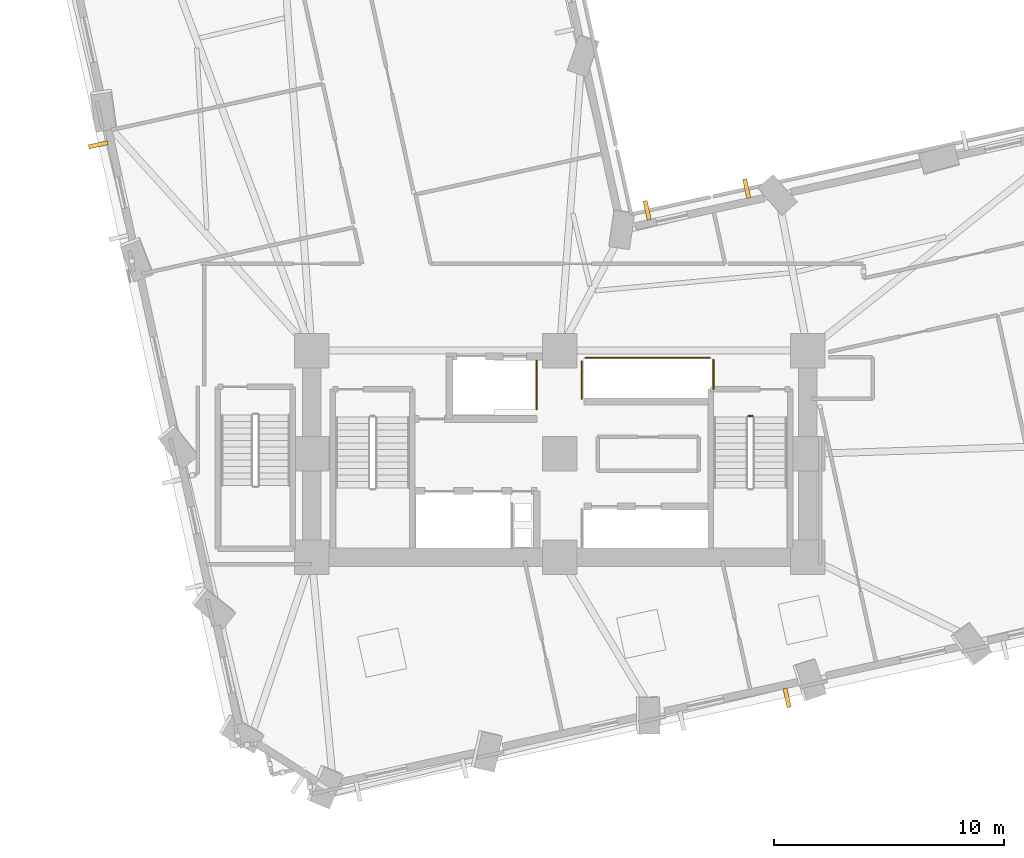
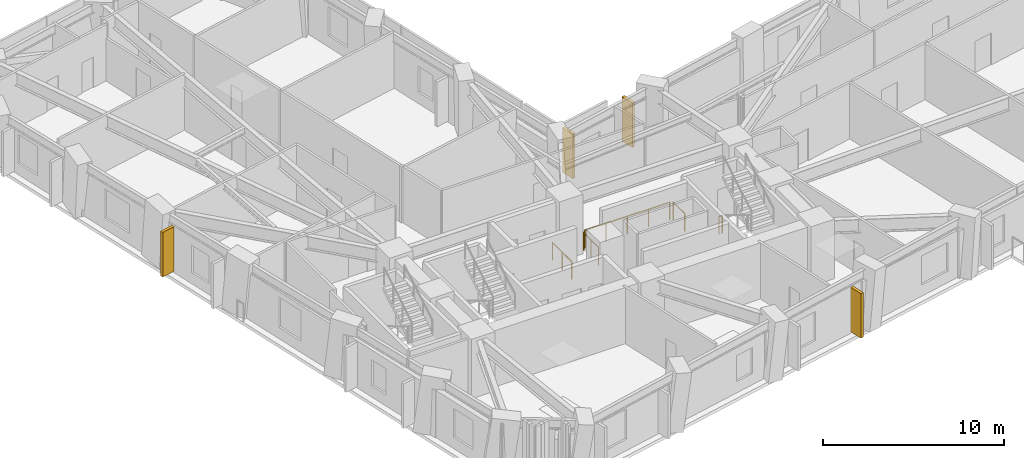
# One storey, part 12 of 14: 5 railings, 4 shading devices.
"""IFC4 building model written with IfcOpenShell, lengths in metres."""

from ifc_helpers import new_model, si_unit, direction, frame, origin, origin_2d, place, context, subcontext, project, spatial, rectangle, circle, extrude, material, type_object, element, save


model = new_model("IFC4")

# Units and contexts
model_context = context("Model", 3, precision=1e-05, world=origin(), true_north=direction((0.0, 1.0)))
body_context = subcontext(model_context, "Body", "Model", "MODEL_VIEW")
ifc_project = project(units=[si_unit("LENGTHUNIT", "METRE"), si_unit("AREAUNIT", "SQUARE_METRE"), si_unit("VOLUMEUNIT", "CUBIC_METRE"), si_unit("PLANEANGLEUNIT", "RADIAN"), si_unit("MASSUNIT", "GRAM", prefix="KILO")], contexts=[model_context])

# Site, building, storey
site_placement = place(None, origin())
site = spatial("IfcSite", under=ifc_project, at=site_placement, CompositionType="ELEMENT")
building_placement = place(site_placement, origin())
building = spatial("IfcBuilding", under=site, at=building_placement, Name="Gaonmaruhae Medical Tower", CompositionType="ELEMENT")
storey_placement = place(building_placement, frame((0.0, 0.0, 75.0)))
storey = spatial("IfcBuildingStorey", under=building, at=storey_placement, Name="L17", CompositionType="ELEMENT", Elevation=75.0)

# Shading devices
ifc_material_1 = material(Name="Pigmented coral precast concrete C45/55", Category="concrete")
shading_device_type = type_object("IfcShadingDeviceType", Name="SD-FIN1 Tower Vertical Coral Precast Shading Fin", PredefinedType="USERDEFINED", material=ifc_material_1)
for number, where, z_axis, x_axis, name in (
    (1, (34.696533203125, 1.6845703125, 0.08251953125), (0.0, 0.0, 1.0), (-0.976859298345, -0.213882938162, 0.0), "L17 Vertical Coral Precast Shading Fin S03"),
    (2, (28.607177734375, 22.9033203125, 0.08251953125), (0.0, 0.0, 1.0), (0.976859298345, 0.213882938162, 0.0), "L17 Vertical Coral Precast Shading Fin EN04"),
    (3, (32.94091796875, 23.85205078125, 0.08251953125), (0.0, 0.0, 1.0), (0.976859298345, 0.213882938162, 0.0), "L17 Vertical Coral Precast Shading Fin EN04B"),
    (4, (4.7109375, 25.76123046875, 0.08251953125), (0.0, 0.0, 1.0), (-0.213882938162, 0.976859298345, 0.0), "L17 Vertical Coral Precast Shading Fin W03B"),
):
    element("IfcShadingDevice", number, at=place(storey_placement, frame(where, z_axis=z_axis, x_axis=x_axis)), inside=storey, type_object=shading_device_type, Name=name, ObjectType="FIN", PredefinedType="USERDEFINED", context=body_context, shape_type="SweptSolid", body=[
        extrude(rectangle(XDim=0.179931640625, YDim=0.85009765625, at=origin_2d()), origin(), (0.0, 0.0, 1.0), 3.0),
    ])

# Railings
ifc_material_2 = material(Name="Stainless steel 304 balustrade", Category="steel")
railing_type = type_object("IfcRailingType", Name="SG-112 Stair Well & Ramp Void Safety Balustrade", PredefinedType="BALUSTRADE", material=ifc_material_2)
railing_1_placement = place(storey_placement, frame((33.0, 13.949951171875, 0.0)))
element("IfcRailing", 5, at=railing_1_placement, inside=storey, type_object=railing_type, Name="L17 ST-02 stair guard 4", PredefinedType="BALUSTRADE", context=body_context, shape_type="SweptSolid", body=[
    extrude(circle(Radius=0.02392578125, at=origin_2d()), frame((0.0, 0.0, 1.17578125), z_axis=(1.0, 0.0, 0.0), x_axis=(0.0, 1.0, 0.0)), (0.0, 0.0, 1.0), 0.199951171875),
    extrude(circle(Radius=0.02099609375, at=origin_2d()), origin(), (0.0, 0.0, 1.0), 1.15185546875),
    extrude(circle(Radius=0.02099609375, at=origin_2d()), frame((0.199951171875, 0.0, 0.0)), (0.0, 0.0, 1.0), 1.15185546875),
])
railing_2_placement = place(storey_placement, frame((23.794921875, 16.35498046875, 0.0)))
element("IfcRailing", 6, at=railing_2_placement, inside=storey, type_object=railing_type, Name="L17 Shaft Edge Safety Guard 09", PredefinedType="BALUSTRADE", context=body_context, shape_type="SweptSolid", body=[
    extrude(circle(Radius=0.02392578125, at=origin_2d()), frame((0.0, 0.0, 1.17578125), z_axis=(0.0, -1.0, 0.0), x_axis=(1.0, 0.0, 0.0)), (0.0, 0.0, 1.0), 2.10986328125),
    extrude(circle(Radius=0.02099609375, at=origin_2d()), origin(), (0.0, 0.0, 1.0), 1.15185546875),
    extrude(circle(Radius=0.02099609375, at=origin_2d()), frame((0.0, -1.054931640625, 0.0)), (0.0, 0.0, 1.0), 1.15185546875),
    extrude(circle(Radius=0.02099609375, at=origin_2d()), frame((0.0, -2.10986328125, 0.0)), (0.0, 0.0, 1.0), 1.15185546875),
])
railing_3_placement = place(storey_placement, frame((31.4951171875, 16.405029296875, 0.0)))
element("IfcRailing", 7, at=railing_3_placement, inside=storey, type_object=railing_type, Name="L17 Shaft Edge Safety Guard 10", PredefinedType="BALUSTRADE", context=body_context, shape_type="SweptSolid", body=[
    extrude(circle(Radius=0.02392578125, at=origin_2d()), frame((0.0, 0.0, 1.17578125), z_axis=(0.0, -1.0, 0.0), x_axis=(1.0, 0.0, 0.0)), (0.0, 0.0, 1.0), 1.284912109375),
    extrude(circle(Radius=0.02099609375, at=origin_2d()), origin(), (0.0, 0.0, 1.0), 1.15185546875),
    extrude(circle(Radius=0.02099609375, at=origin_2d()), frame((0.0, -1.284912109375, 0.0)), (0.0, 0.0, 1.0), 1.15185546875),
])
railing_4_placement = place(storey_placement, frame((25.7548828125, 14.695068359375, 0.0)))
element("IfcRailing", 8, at=railing_4_placement, inside=storey, type_object=railing_type, Name="L17 Shaft Edge Safety Guard 11", PredefinedType="BALUSTRADE", context=body_context, shape_type="SweptSolid", body=[
    extrude(circle(Radius=0.02392578125, at=origin_2d()), frame((0.0, 0.0, 1.17578125), z_axis=(0.0, 1.0, 0.0), x_axis=(-1.0, 0.0, 0.0)), (0.0, 0.0, 1.0), 1.635009765625),
    extrude(circle(Radius=0.02099609375, at=origin_2d()), origin(), (0.0, 0.0, 1.0), 1.15185546875),
    extrude(circle(Radius=0.02099609375, at=origin_2d()), frame((0.0, 0.8173828125, 0.0)), (0.0, 0.0, 1.0), 1.15185546875),
    extrude(circle(Radius=0.02099609375, at=origin_2d()), frame((0.0, 1.635009765625, 0.0)), (0.0, 0.0, 1.0), 1.15185546875),
])
railing_5_placement = place(storey_placement, frame((25.919921875, 16.4951171875, 0.0)))
element("IfcRailing", 9, at=railing_5_placement, inside=storey, type_object=railing_type, Name="L17 Shaft Edge Safety Guard 12", PredefinedType="BALUSTRADE", context=body_context, shape_type="SweptSolid", body=[
    extrude(circle(Radius=0.02392578125, at=origin_2d()), frame((0.0, 0.0, 1.17578125), z_axis=(1.0, 0.0, 0.0), x_axis=(0.0, 1.0, 0.0)), (0.0, 0.0, 1.0), 5.41015625),
    extrude(circle(Radius=0.02099609375, at=origin_2d()), origin(), (0.0, 0.0, 1.0), 1.15185546875),
    extrude(circle(Radius=0.02099609375, at=origin_2d()), frame((1.3525390625, 0.0, 0.0)), (0.0, 0.0, 1.0), 1.15185546875),
    extrude(circle(Radius=0.02099609375, at=origin_2d()), frame((2.705078125, 0.0, 0.0)), (0.0, 0.0, 1.0), 1.15185546875),
    extrude(circle(Radius=0.02099609375, at=origin_2d()), frame((4.0576171875, 0.0, 0.0)), (0.0, 0.0, 1.0), 1.15185546875),
    extrude(circle(Radius=0.02099609375, at=origin_2d()), frame((5.41015625, 0.0, 0.0)), (0.0, 0.0, 1.0), 1.15185546875),
])

save(model, "model.ifc")
